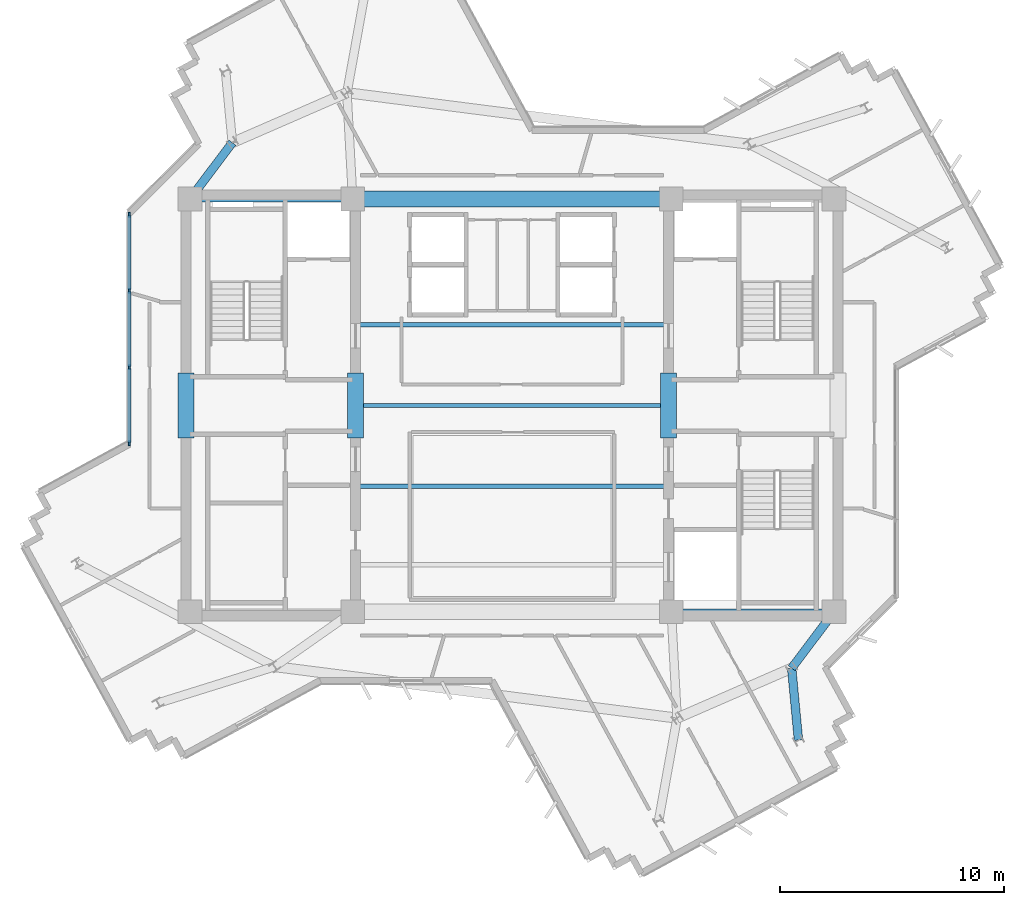
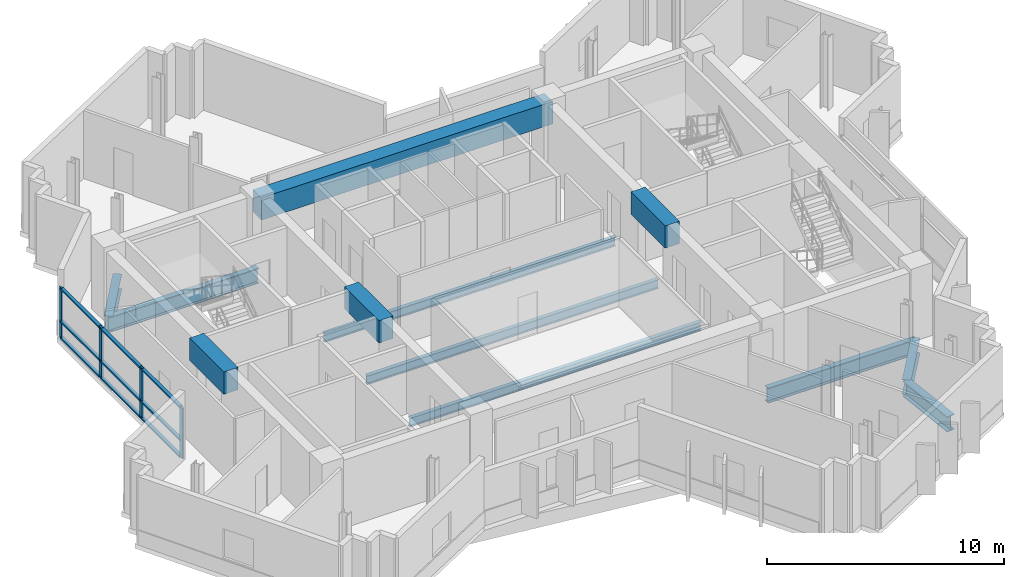
# One storey, part 2 of 13: 13 members, 12 beams, 1 element without a shape of its own.
"""IFC4 building model written with IfcOpenShell, lengths in metres."""

from ifc_helpers import new_model, si_unit, direction, frame, origin, origin_2d, place, context, subcontext, project, spatial, rectangle, i_section, extrude, source, transform, mapped, material, layer, layer_set, material_profile, profile_set, type_object, element, aggregate, save


model = new_model("IFC4")

# Units and contexts
model_context = context("Model", 3, precision=1e-05, world=origin(), true_north=direction((0.0, 1.0)))
body_context = subcontext(model_context, "Body", "Model", "MODEL_VIEW")
ifc_project = project(units=[si_unit("LENGTHUNIT", "METRE"), si_unit("AREAUNIT", "SQUARE_METRE"), si_unit("VOLUMEUNIT", "CUBIC_METRE"), si_unit("PLANEANGLEUNIT", "RADIAN"), si_unit("MASSUNIT", "GRAM", prefix="KILO")], contexts=[model_context])

# Site, building, storey
site_placement = place(None, origin())
site = spatial("IfcSite", under=ifc_project, at=site_placement, CompositionType="ELEMENT")
building_placement = place(site_placement, origin())
building = spatial("IfcBuilding", under=site, at=building_placement, Name="Zahravan Cultural Tower", CompositionType="ELEMENT")
storey_placement = place(building_placement, frame((0.0, 0.0, 254.10009765625)))
storey = spatial("IfcBuildingStorey", under=building, at=storey_placement, Name="L60", CompositionType="ELEMENT", Elevation=254.10009765625)

# Beams
ifc_material_1 = material(Name="Concrete C50/60", Category="concrete")
ifc_material_profile_1 = material_profile(ifc_material_1, rectangle(XDim=0.699951171875, YDim=1.14990234375, at=origin_2d()), Name="RC700X1150")
ifc_profile_set_1 = profile_set([ifc_material_profile_1], Name="Concrete C50/60")
beam_type_1 = type_object("IfcBeamType", Name="BM-LN-RC700X1150", PredefinedType="LINTEL", material=ifc_profile_set_1)
shared_shape_1 = source(origin(), body_context, "Body", "SweptSolid", [
    extrude(rectangle(XDim=0.699951171875, YDim=1.14990234375, at=origin_2d()), origin(), (0.0, 0.0, 1.0), 14.2001953125),
])
beam_1_placement = place(storey_placement, frame((28.89990234375, 36.199951171875, 2.9248046875), z_axis=(1.0, 0.0, 0.0), x_axis=(0.0, 1.0, 0.0)))
element("IfcBeam", 1, at=beam_1_placement, inside=storey, type_object=beam_type_1, Name="L60 Beam LN-L60-N", PredefinedType="LINTEL", context=body_context, shape_type="MappedRepresentation", body=[
    mapped(shared_shape_1, transform((0.0, 0.0, 0.0), x_axis=(1.0, 0.0, 0.0), y_axis=(0.0, 1.0, 0.0), z_axis=(0.0, 0.0, 1.0), scale=1.0)),
])
shared_shape_2 = source(origin(), body_context, "Body", "SweptSolid", [
    extrude(rectangle(XDim=0.699951171875, YDim=1.14990234375, at=origin_2d()), origin(), (0.0, 0.0, 1.0), 2.89990234375),
])
for number, where, z_axis, x_axis, name in (
    (2, (21.47509765625, 25.550048828125, 2.9248046875), (0.0, 1.0, 0.0), (-1.0, 0.0, 0.0), "L60 Beam LN-L60-PWW"),
    (3, (29.02490234375, 25.550048828125, 2.9248046875), (0.0, 1.0, 0.0), (-1.0, 0.0, 0.0), "L60 Beam LN-L60-PWE"),
    (4, (42.97509765625, 25.550048828125, 2.9248046875), (0.0, 1.0, 0.0), (-1.0, 0.0, 0.0), "L60 Beam LN-L60-PEW"),
):
    element("IfcBeam", number, at=place(storey_placement, frame(where, z_axis=z_axis, x_axis=x_axis)), inside=storey, type_object=beam_type_1, Name=name, PredefinedType="LINTEL", context=body_context, shape_type="MappedRepresentation", body=[
        mapped(shared_shape_2, transform((0.0, 0.0, 0.0), x_axis=(1.0, 0.0, 0.0), y_axis=(0.0, 1.0, 0.0), z_axis=(0.0, 0.0, 1.0), scale=1.0)),
    ])
ifc_material_2 = material(Name="Steel ASTM A992 Grade 50", Category="steel")
ifc_material_profile_2 = material_profile(ifc_material_2, i_section(OverallWidth=0.26611328125, OverallDepth=0.780029296875, WebThickness=0.0166015625, FlangeThickness=0.030029296875, FilletRadius=0.01904296875, at=origin_2d()), Name="W30X148")
ifc_profile_set_2 = profile_set([ifc_material_profile_2], Name="Steel ASTM A992 Grade 50")
beam_type_2 = type_object("IfcBeamType", Name="BM-G-W30X148", PredefinedType="BEAM", material=ifc_profile_set_2)
shared_shape_3 = source(origin(), body_context, "Body", "SweptSolid", [
    extrude(i_section(OverallWidth=0.26611328125, OverallDepth=0.780029296875, WebThickness=0.0166015625, FlangeThickness=0.030029296875, FilletRadius=0.01904296875, at=origin_2d()), origin(), (0.0, 0.0, 1.0), 7.25),
])
for number, where, z_axis, x_axis, name in (
    (5, (21.64990234375, 36.199951171875, -0.64013671875), (1.0, 0.0, 0.0), (0.0, 1.0, 0.0), "L60 Beam BG-L60-02"),
    (6, (43.10009765625, 17.800048828125, -0.64013671875), (1.0, 0.0, 0.0), (0.0, 1.0, 0.0), "L60 Beam BG-L60-04"),
):
    element("IfcBeam", number, at=place(storey_placement, frame(where, z_axis=z_axis, x_axis=x_axis)), inside=storey, type_object=beam_type_2, Name=name, PredefinedType="BEAM", context=body_context, shape_type="MappedRepresentation", body=[
        mapped(shared_shape_3, transform((0.0, 0.0, 0.0), x_axis=(1.0, 0.0, 0.0), y_axis=(0.0, 1.0, 0.0), z_axis=(0.0, 0.0, 1.0), scale=1.0)),
    ])
ifc_material_profile_3 = material_profile(ifc_material_2, i_section(OverallWidth=0.18994140625, OverallDepth=0.45703125, WebThickness=0.009033203125, FlangeThickness=0.014404296875, FilletRadius=0.012939453125, at=origin_2d()), Name="W18X50")
ifc_profile_set_3 = profile_set([ifc_material_profile_3], Name="Steel ASTM A992 Grade 50")
beam_type_3 = type_object("IfcBeamType", Name="BM-J-W18X50", PredefinedType="JOIST", material=ifc_profile_set_3)
shared_shape_4 = source(origin(), body_context, "Body", "SweptSolid", [
    extrude(i_section(OverallWidth=0.18994140625, OverallDepth=0.45703125, WebThickness=0.009033203125, FlangeThickness=0.014404296875, FilletRadius=0.012939453125, at=origin_2d()), origin(), (0.0, 0.0, 1.0), 14.2001953125),
])
for number, where, z_axis, x_axis, name in (
    (7, (28.89990234375, 23.39990234375, -0.478515625), (1.0, 0.0, 0.0), (0.0, 1.0, 0.0), "L60 Beam BJ-L60-25"),
    (8, (28.89990234375, 27.0, -0.478515625), (1.0, 0.0, 0.0), (0.0, 1.0, 0.0), "L60 Beam BJ-L60-26"),
    (9, (28.89990234375, 30.60009765625, -0.478515625), (1.0, 0.0, 0.0), (0.0, 1.0, 0.0), "L60 Beam BJ-L60-27"),
):
    element("IfcBeam", number, at=place(storey_placement, frame(where, z_axis=z_axis, x_axis=x_axis)), inside=storey, type_object=beam_type_3, Name=name, PredefinedType="JOIST", context=body_context, shape_type="MappedRepresentation", body=[
        mapped(shared_shape_4, transform((0.0, 0.0, 0.0), x_axis=(1.0, 0.0, 0.0), y_axis=(0.0, 1.0, 0.0), z_axis=(0.0, 0.0, 1.0), scale=1.0)),
    ])
ifc_material_profile_4 = material_profile(ifc_material_2, i_section(OverallWidth=0.382080078125, OverallDepth=0.779052734375, WebThickness=0.01806640625, FlangeThickness=0.030029296875, FilletRadius=0.01904296875, at=origin_2d()), Name="W30X191")
ifc_profile_set_4 = profile_set([ifc_material_profile_4], Name="Steel ASTM A992 Grade 50")
beam_type_4 = type_object("IfcBeamType", Name="BM-G-W30X191", PredefinedType="BEAM", material=ifc_profile_set_4)
shared_shape_5 = source(origin(), body_context, "Body", "SweptSolid", [
    extrude(i_section(OverallWidth=0.382080078125, OverallDepth=0.779052734375, WebThickness=0.01806640625, FlangeThickness=0.030029296875, FilletRadius=0.01904296875, at=origin_2d()), origin(), (0.0, 0.0, 1.0), 3.140380859375),
])
for number, where, z_axis, x_axis, name in (
    (10, (50.35009765625, 17.800048828125, -0.6396484375), (-0.600696322208, -0.799477284534, 0.0), (0.799477284534, -0.600696322208, 0.0), "L60 Beam BG-L60-09"),
    (11, (21.64990234375, 36.199951171875, -0.6396484375), (0.600696322208, 0.799477284534, 0.0), (-0.799477284534, 0.600696322208, 0.0), "L60 Beam BG-L60-11"),
):
    element("IfcBeam", number, at=place(storey_placement, frame(where, z_axis=z_axis, x_axis=x_axis)), inside=storey, type_object=beam_type_4, Name=name, PredefinedType="BEAM", context=body_context, shape_type="MappedRepresentation", body=[
        mapped(shared_shape_5, transform((0.0, 0.0, 0.0), x_axis=(1.0, 0.0, 0.0), y_axis=(0.0, 1.0, 0.0), z_axis=(0.0, 0.0, 1.0), scale=1.0)),
    ])
shared_shape_6 = source(origin(), body_context, "Body", "SweptSolid", [
    extrude(i_section(OverallWidth=0.382080078125, OverallDepth=0.779052734375, WebThickness=0.01806640625, FlangeThickness=0.030029296875, FilletRadius=0.01904296875, at=origin_2d()), origin(), (0.0, 0.0, 1.0), 3.218017578125),
])
beam_2_placement = place(storey_placement, frame((48.463623046875, 15.289306640625, -0.6396484375), z_axis=(0.094454641962, -0.995529166128, 0.0), x_axis=(0.995529166128, 0.094454641962, 0.0)))
element("IfcBeam", 12, at=beam_2_placement, inside=storey, type_object=beam_type_4, Name="L60 Beam BG-L60-19", PredefinedType="BEAM", context=body_context, shape_type="MappedRepresentation", body=[
    mapped(shared_shape_6, transform((0.0, 0.0, 0.0), x_axis=(1.0, 0.0, 0.0), y_axis=(0.0, 1.0, 0.0), z_axis=(0.0, 0.0, 1.0), scale=1.0)),
])

# Curtain wall, members
ifc_material_3 = material(Name="Anodised bronze-aluminium mullion", Category="aluminium")
ifc_layer = layer(ifc_material_3, 0.219970703125)
ifc_layer_set = layer_set([ifc_layer], Name="Anodised bronze-aluminium mullion")
curtain_wall_type = type_object("IfcCurtainWallType", Name="CW-SYS-1", PredefinedType="USERDEFINED", material=ifc_layer_set)
curtain_wall_placement = place(storey_placement, origin())
curtain_wall = element("IfcCurtainWall", 13, at=curtain_wall_placement, inside=storey, type_object=curtain_wall_type, Name="L60 Recessed Curtain Wall CW-1.2", ObjectType="RECESSED GLAZING", PredefinedType="USERDEFINED")
ifc_material_profile_5 = material_profile(ifc_material_3, rectangle(XDim=0.080078125, YDim=0.219970703125, at=origin_2d()), Name="AL-M80X220")
ifc_profile_set_5 = profile_set([ifc_material_profile_5], Name="Anodised bronze-aluminium mullion")
member_type_1 = type_object("IfcMemberType", Name="CWM-CW-1", PredefinedType="MULLION", material=ifc_profile_set_5)
shared_shape_7 = source(origin(), body_context, "Body", "SweptSolid", [
    extrude(rectangle(XDim=0.080078125, YDim=0.219970703125, at=origin_2d()), origin(), (0.0, 0.0, 1.0), 2.619873046875),
])
member_1_placement = place(storey_placement, frame((18.93994140625, 25.30859375, 0.0), z_axis=(0.0, 0.0, 1.0), x_axis=(-1.0, 0.0, 0.0)))
member_1 = element("IfcMember", 14, at=member_1_placement, type_object=member_type_1, Name="CW-1 mullion 1", PredefinedType="MULLION", context=body_context, shape_type="MappedRepresentation", body=[
    mapped(shared_shape_7, transform((0.0, 0.0, 0.0), x_axis=(1.0, 0.0, 0.0), y_axis=(0.0, 1.0, 0.0), z_axis=(0.0, 0.0, 1.0), scale=1.0)),
])
member_2_placement = place(storey_placement, frame((18.93994140625, 28.693115234375, 0.0), z_axis=(0.0, 0.0, 1.0), x_axis=(-1.0, 0.0, 0.0)))
member_2 = element("IfcMember", 15, at=member_2_placement, type_object=member_type_1, Name="CW-1 mullion 2", PredefinedType="MULLION", context=body_context, shape_type="MappedRepresentation", body=[
    mapped(shared_shape_7, transform((0.0, 0.0, 0.0), x_axis=(1.0, 0.0, 0.0), y_axis=(0.0, 1.0, 0.0), z_axis=(0.0, 0.0, 1.0), scale=1.0)),
])
member_3_placement = place(storey_placement, frame((18.93994140625, 32.117431640625, 0.0), z_axis=(0.0, 0.0, 1.0), x_axis=(-1.0, 0.0, 0.0)))
member_3 = element("IfcMember", 16, at=member_3_placement, type_object=member_type_1, Name="CW-1 mullion 3", PredefinedType="MULLION", context=body_context, shape_type="MappedRepresentation", body=[
    mapped(shared_shape_7, transform((0.0, 0.0, 0.0), x_axis=(1.0, 0.0, 0.0), y_axis=(0.0, 1.0, 0.0), z_axis=(0.0, 0.0, 1.0), scale=1.0)),
])
member_4_placement = place(storey_placement, frame((18.93994140625, 35.501953125, 0.0), z_axis=(0.0, 0.0, 1.0), x_axis=(-1.0, 0.0, 0.0)))
member_4 = element("IfcMember", 17, at=member_4_placement, type_object=member_type_1, Name="CW-1 mullion 4", PredefinedType="MULLION", context=body_context, shape_type="MappedRepresentation", body=[
    mapped(shared_shape_7, transform((0.0, 0.0, 0.0), x_axis=(1.0, 0.0, 0.0), y_axis=(0.0, 1.0, 0.0), z_axis=(0.0, 0.0, 1.0), scale=1.0)),
])
ifc_material_profile_6 = material_profile(ifc_material_3, rectangle(XDim=0.159912109375, YDim=0.080078125, at=origin_2d()), Name="AL-T80X160")
ifc_profile_set_6 = profile_set([ifc_material_profile_6], Name="Anodised bronze-aluminium mullion")
member_type_2 = type_object("IfcMemberType", Name="CWT-CW-1", PredefinedType="USERDEFINED", material=ifc_profile_set_6)
shared_shape_8 = source(origin(), body_context, "Body", "SweptSolid", [
    extrude(rectangle(XDim=0.159912109375, YDim=0.080078125, at=origin_2d()), origin(), (0.0, 0.0, 1.0), 3.3046875),
])
member_5_placement = place(storey_placement, frame((18.93994140625, 25.348388671875, 0.039794921875), z_axis=(0.0, 1.0, 0.0), x_axis=(-1.0, 0.0, 0.0)))
member_5 = element("IfcMember", 18, at=member_5_placement, type_object=member_type_2, Name="CW-1 transom 1.1", ObjectType="TRANSOM", PredefinedType="USERDEFINED", context=body_context, shape_type="MappedRepresentation", body=[
    mapped(shared_shape_8, transform((0.0, 0.0, 0.0), x_axis=(1.0, 0.0, 0.0), y_axis=(0.0, 1.0, 0.0), z_axis=(0.0, 0.0, 1.0), scale=1.0)),
])
member_6_placement = place(storey_placement, frame((18.93994140625, 25.348388671875, 0.89990234375), z_axis=(0.0, 1.0, 0.0), x_axis=(-1.0, 0.0, 0.0)))
member_6 = element("IfcMember", 19, at=member_6_placement, type_object=member_type_2, Name="CW-1 transom 1.2", ObjectType="TRANSOM", PredefinedType="USERDEFINED", context=body_context, shape_type="MappedRepresentation", body=[
    mapped(shared_shape_8, transform((0.0, 0.0, 0.0), x_axis=(1.0, 0.0, 0.0), y_axis=(0.0, 1.0, 0.0), z_axis=(0.0, 0.0, 1.0), scale=1.0)),
])
member_7_placement = place(storey_placement, frame((18.93994140625, 25.348388671875, 2.579833984375), z_axis=(0.0, 1.0, 0.0), x_axis=(-1.0, 0.0, 0.0)))
member_7 = element("IfcMember", 20, at=member_7_placement, type_object=member_type_2, Name="CW-1 transom 1.3", ObjectType="TRANSOM", PredefinedType="USERDEFINED", context=body_context, shape_type="MappedRepresentation", body=[
    mapped(shared_shape_8, transform((0.0, 0.0, 0.0), x_axis=(1.0, 0.0, 0.0), y_axis=(0.0, 1.0, 0.0), z_axis=(0.0, 0.0, 1.0), scale=1.0)),
])
shared_shape_9 = source(origin(), body_context, "Body", "SweptSolid", [
    extrude(rectangle(XDim=0.159912109375, YDim=0.080078125, at=origin_2d()), origin(), (0.0, 0.0, 1.0), 3.344482421875),
])
member_8_placement = place(storey_placement, frame((18.93994140625, 28.73291015625, 0.039794921875), z_axis=(0.0, 1.0, 0.0), x_axis=(-1.0, 0.0, 0.0)))
member_8 = element("IfcMember", 21, at=member_8_placement, type_object=member_type_2, Name="CW-1 transom 2.1", ObjectType="TRANSOM", PredefinedType="USERDEFINED", context=body_context, shape_type="MappedRepresentation", body=[
    mapped(shared_shape_9, transform((0.0, 0.0, 0.0), x_axis=(1.0, 0.0, 0.0), y_axis=(0.0, 1.0, 0.0), z_axis=(0.0, 0.0, 1.0), scale=1.0)),
])
member_9_placement = place(storey_placement, frame((18.93994140625, 28.73291015625, 0.89990234375), z_axis=(0.0, 1.0, 0.0), x_axis=(-1.0, 0.0, 0.0)))
member_9 = element("IfcMember", 22, at=member_9_placement, type_object=member_type_2, Name="CW-1 transom 2.2", ObjectType="TRANSOM", PredefinedType="USERDEFINED", context=body_context, shape_type="MappedRepresentation", body=[
    mapped(shared_shape_9, transform((0.0, 0.0, 0.0), x_axis=(1.0, 0.0, 0.0), y_axis=(0.0, 1.0, 0.0), z_axis=(0.0, 0.0, 1.0), scale=1.0)),
])
member_10_placement = place(storey_placement, frame((18.93994140625, 28.73291015625, 2.579833984375), z_axis=(0.0, 1.0, 0.0), x_axis=(-1.0, 0.0, 0.0)))
member_10 = element("IfcMember", 23, at=member_10_placement, type_object=member_type_2, Name="CW-1 transom 2.3", ObjectType="TRANSOM", PredefinedType="USERDEFINED", context=body_context, shape_type="MappedRepresentation", body=[
    mapped(shared_shape_9, transform((0.0, 0.0, 0.0), x_axis=(1.0, 0.0, 0.0), y_axis=(0.0, 1.0, 0.0), z_axis=(0.0, 0.0, 1.0), scale=1.0)),
])
shared_shape_10 = source(origin(), body_context, "Body", "SweptSolid", [
    extrude(rectangle(XDim=0.159912109375, YDim=0.080078125, at=origin_2d()), origin(), (0.0, 0.0, 1.0), 3.304443359375),
])
member_11_placement = place(storey_placement, frame((18.93994140625, 32.157470703125, 0.039794921875), z_axis=(0.0, 1.0, 0.0), x_axis=(-1.0, 0.0, 0.0)))
member_11 = element("IfcMember", 24, at=member_11_placement, type_object=member_type_2, Name="CW-1 transom 3.1", ObjectType="TRANSOM", PredefinedType="USERDEFINED", context=body_context, shape_type="MappedRepresentation", body=[
    mapped(shared_shape_10, transform((0.0, 0.0, 0.0), x_axis=(1.0, 0.0, 0.0), y_axis=(0.0, 1.0, 0.0), z_axis=(0.0, 0.0, 1.0), scale=1.0)),
])
member_12_placement = place(storey_placement, frame((18.93994140625, 32.157470703125, 0.89990234375), z_axis=(0.0, 1.0, 0.0), x_axis=(-1.0, 0.0, 0.0)))
member_12 = element("IfcMember", 25, at=member_12_placement, type_object=member_type_2, Name="CW-1 transom 3.2", ObjectType="TRANSOM", PredefinedType="USERDEFINED", context=body_context, shape_type="MappedRepresentation", body=[
    mapped(shared_shape_10, transform((0.0, 0.0, 0.0), x_axis=(1.0, 0.0, 0.0), y_axis=(0.0, 1.0, 0.0), z_axis=(0.0, 0.0, 1.0), scale=1.0)),
])
member_13_placement = place(storey_placement, frame((18.93994140625, 32.157470703125, 2.579833984375), z_axis=(0.0, 1.0, 0.0), x_axis=(-1.0, 0.0, 0.0)))
member_13 = element("IfcMember", 26, at=member_13_placement, type_object=member_type_2, Name="CW-1 transom 3.3", ObjectType="TRANSOM", PredefinedType="USERDEFINED", context=body_context, shape_type="MappedRepresentation", body=[
    mapped(shared_shape_10, transform((0.0, 0.0, 0.0), x_axis=(1.0, 0.0, 0.0), y_axis=(0.0, 1.0, 0.0), z_axis=(0.0, 0.0, 1.0), scale=1.0)),
])
aggregate(curtain_wall, [member_1, member_2, member_3, member_4, member_5, member_6, member_7, member_8, member_9, member_10, member_11, member_12, member_13])

save(model, "model.ifc")
